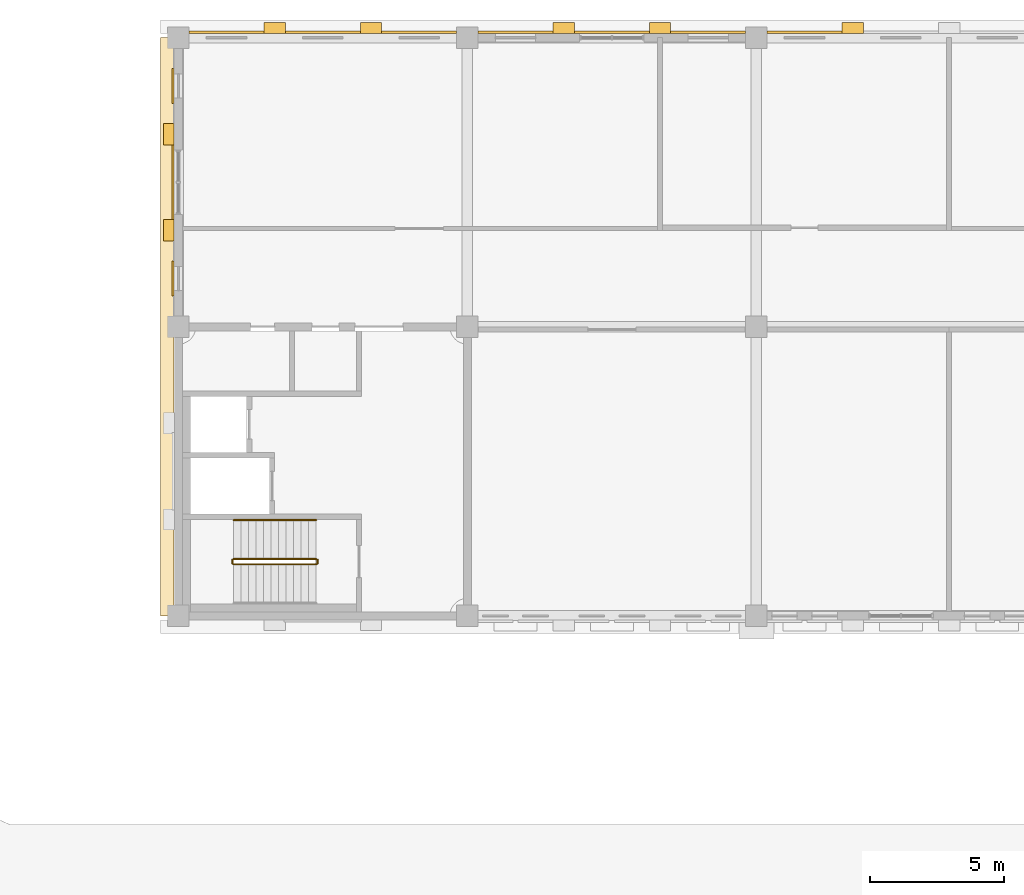
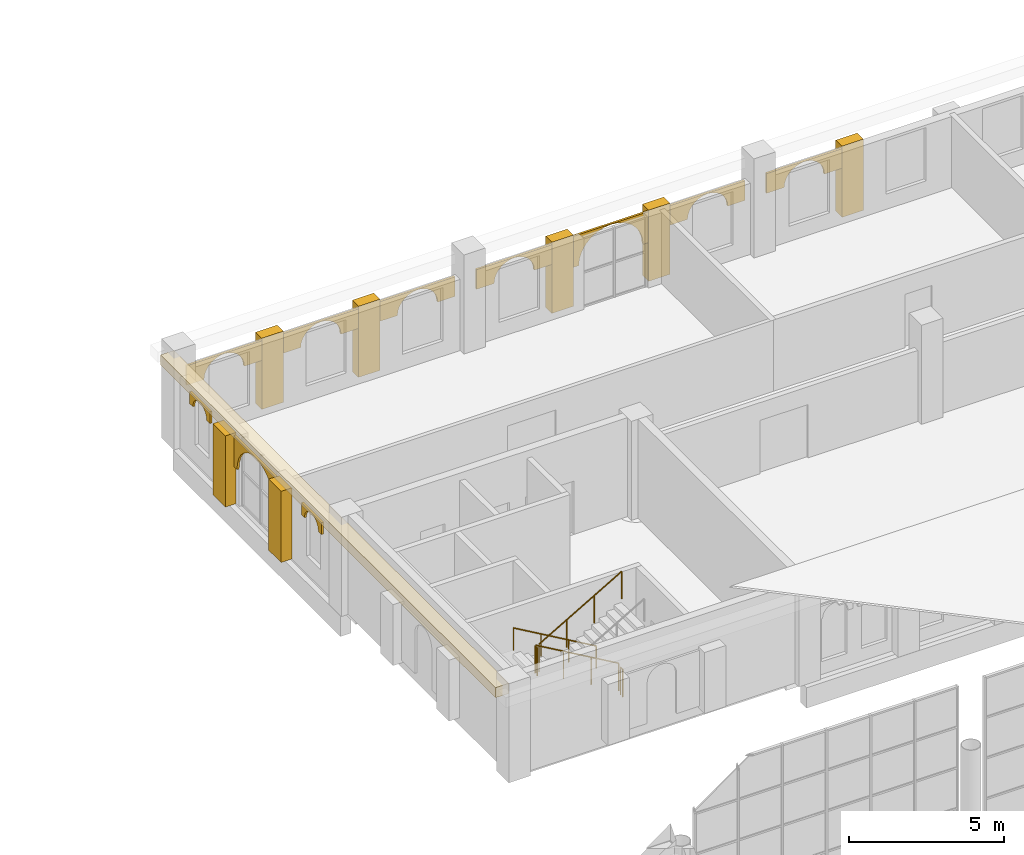
# One storey, part 53 of 56: 18 coverings, 5 railings.
"""IFC4 building model written with IfcOpenShell, lengths in metres."""

from ifc_helpers import new_model, si_unit, direction, frame, origin, origin_2d, place, context, subcontext, project, spatial, polyline, rectangle, circle, outline, extrude, material, layer, layer_set, type_object, element, save


model = new_model("IFC4")

# Units and contexts
model_context = context("Model", 3, precision=1e-05, world=origin(), true_north=direction((0.0, 1.0)))
body_context = subcontext(model_context, "Body", "Model", "MODEL_VIEW")
ifc_project = project(units=[si_unit("LENGTHUNIT", "METRE"), si_unit("AREAUNIT", "SQUARE_METRE"), si_unit("VOLUMEUNIT", "CUBIC_METRE"), si_unit("PLANEANGLEUNIT", "RADIAN"), si_unit("MASSUNIT", "GRAM", prefix="KILO")], contexts=[model_context])

# Site, building, storey
site_placement = place(None, origin())
site = spatial("IfcSite", under=ifc_project, at=site_placement, CompositionType="ELEMENT")
building_placement = place(site_placement, origin())
building = spatial("IfcBuilding", under=site, at=building_placement, Name="Magnolia Steps Interchange", CompositionType="ELEMENT")
storey_placement = place(building_placement, frame((0.0, 0.0, 8.699951171875)))
storey = spatial("IfcBuildingStorey", under=building, at=storey_placement, Name="L02", CompositionType="ELEMENT", Elevation=8.699951171875)

# Coverings
ifc_material_1 = material(Name="Lime render")
ifc_layer_1 = layer(ifc_material_1, 0.080078125)
ifc_layer_set_1 = layer_set([ifc_layer_1], Name="Lime render arch infill")
covering_type_1 = type_object("IfcCoveringType", Name="Lime render arch infill", PredefinedType="CLADDING", material=ifc_layer_set_1)
covering_1_placement = place(storey_placement, frame((79.0, 118.16259765625, 1.530029296875), z_axis=(0.0, -1.0, 0.0), x_axis=(0.111727497739, 0.0, 0.993738882327)))
element("IfcCovering", 1, at=covering_1_placement, inside=storey, type_object=covering_type_1, Name="Arched head over opening g2", PredefinedType="CLADDING", context=body_context, shape_type="SweptSolid", body=[
    extrude(outline(polyline([(0.0, 0.0), (0.268772661, 0.0), (0.530775471, -0.059969747), (0.772847059, -0.176475415), (0.982848175, -0.34424851), (1.150413918, -0.55413586), (1.266850396, -0.796550742), (1.326505678, -1.058370595), (1.326505678, -1.327143256), (1.266778543, -1.589118788), (1.150030263, -1.831217653), (0.98249978, -2.041191492), (0.772369818, -2.208784513), (0.530197548, -2.325193713), (0.268135084, -2.384876273), (0.290502405, -2.583818139), (1.502834728, -2.447513865), (1.189992279, 0.335003528), (-0.022340044, 0.198699254), (0.0, 0.0)])), origin(), (0.0, 0.0, -1.0), 0.080078125),
])
covering_2_placement = place(storey_placement, frame((65.050048828125, 118.16259765625, 1.929931640625), z_axis=(0.0, -1.0, 0.0), x_axis=(0.111866505497, 0.0, 0.993723243639)))
element("IfcCovering", 2, at=covering_2_placement, inside=storey, type_object=covering_type_1, Name="Arched head over opening W00180", PredefinedType="CLADDING", context=body_context, shape_type="SweptSolid", body=[
    extrude(outline(polyline([(0.0, 0.0), (0.168046977, 0.0), (0.331699341, -0.037347123), (0.483135814, -0.110219323), (0.61434394, -0.2150963), (0.71903364, -0.346298397), (0.791830647, -0.497551495), (0.829192312, -0.661392554), (0.829165001, -0.829196923), (0.791845189, -0.993091895), (0.718945677, -1.144285759), (0.61433862, -1.275709182), (0.482866604, -1.380183586), (0.331640817, -1.453223201), (0.167799758, -1.490584865), (0.240502062, -2.136407931), (1.005688369, -2.050268536), (0.692456691, 0.732205067), (-0.072729615, 0.646065673), (0.0, 0.0)])), origin(), (0.0, 0.0, -1.0), 0.080078125),
])
covering_3_placement = place(storey_placement, frame((68.64990234375, 118.16259765625, 1.929931640625), z_axis=(0.0, -1.0, 0.0), x_axis=(0.111866505497, 0.0, 0.993723243639)))
element("IfcCovering", 3, at=covering_3_placement, inside=storey, type_object=covering_type_1, Name="Arched head over opening W00540", PredefinedType="CLADDING", context=body_context, shape_type="SweptSolid", body=[
    extrude(outline(polyline([(0.0, 0.0), (0.168046977, 0.0), (0.331726652, -0.037589731), (0.483163125, -0.110461932), (0.61434394, -0.2150963), (0.719060952, -0.346541005), (0.791857958, -0.497794103), (0.829192312, -0.661392554), (0.829192312, -0.829439531), (0.791845189, -0.993091895), (0.718972988, -1.144528367), (0.61433862, -1.275709182), (0.482893915, -1.380426194), (0.331640817, -1.453223201), (0.167799758, -1.490584865), (0.240529374, -2.136650539), (1.00571568, -2.050511145), (0.692484002, 0.731962459), (-0.072702304, 0.645823065), (0.0, 0.0)])), origin(), (0.0, 0.0, -1.0), 0.080078125),
])
covering_4_placement = place(storey_placement, frame((72.25, 118.16259765625, 1.929931640625), z_axis=(0.0, -1.0, 0.0), x_axis=(0.111866505497, 0.0, 0.993723243639)))
element("IfcCovering", 4, at=covering_4_placement, inside=storey, type_object=covering_type_1, Name="Arched head over opening W00900", PredefinedType="CLADDING", context=body_context, shape_type="SweptSolid", body=[
    extrude(outline(polyline([(0.0, 0.0), (0.168046977, 0.0), (0.331699341, -0.037347123), (0.483135814, -0.110219323), (0.61434394, -0.2150963), (0.71903364, -0.346298397), (0.791830647, -0.497551495), (0.829192312, -0.661392554), (0.829192312, -0.829439531), (0.791845189, -0.993091895), (0.718945677, -1.144285759), (0.61433862, -1.275709182), (0.482893915, -1.380426194), (0.331640817, -1.453223201), (0.167799758, -1.490584865), (0.240502062, -2.136407931), (1.005688369, -2.050268536), (0.692484002, 0.731962459), (-0.072702304, 0.645823065), (0.0, 0.0)])), origin(), (0.0, 0.0, -1.0), 0.080078125),
])
covering_5_placement = place(storey_placement, frame((75.85009765625, 118.16259765625, 1.929931640625), z_axis=(0.0, -1.0, 0.0), x_axis=(0.111866505497, 0.0, 0.993723243639)))
element("IfcCovering", 5, at=covering_5_placement, inside=storey, type_object=covering_type_1, Name="Arched head over opening W01260", PredefinedType="CLADDING", context=body_context, shape_type="SweptSolid", body=[
    extrude(outline(polyline([(0.0, 0.0), (0.168046977, 0.0), (0.331699341, -0.037347123), (0.483135814, -0.110219323), (0.614316629, -0.214853692), (0.71903364, -0.346298397), (0.791830647, -0.497551495), (0.829192312, -0.661392554), (0.829165001, -0.829196923), (0.791817878, -0.992849287), (0.718945677, -1.144285759), (0.614311308, -1.275466574), (0.482866604, -1.380183586), (0.331640817, -1.453223201), (0.167799758, -1.490584865), (0.240502062, -2.136407931), (1.005688369, -2.050268536), (0.692456691, 0.732205067), (-0.072729615, 0.646065673), (0.0, 0.0)])), origin(), (0.0, 0.0, -1.0), 0.080078125),
])
covering_6_placement = place(storey_placement, frame((83.050048828125, 118.16259765625, 1.929931640625), z_axis=(0.0, -1.0, 0.0), x_axis=(0.111866505497, 0.0, 0.993723243639)))
element("IfcCovering", 6, at=covering_6_placement, inside=storey, type_object=covering_type_1, Name="Arched head over opening W00240", PredefinedType="CLADDING", context=body_context, shape_type="SweptSolid", body=[
    extrude(outline(polyline([(0.0, 0.0), (0.168046977, 0.0), (0.331699341, -0.037347123), (0.483135814, -0.110219323), (0.61434394, -0.2150963), (0.71903364, -0.346298397), (0.791830647, -0.497551495), (0.829192312, -0.661392554), (0.829165001, -0.829196923), (0.791845189, -0.993091895), (0.718945677, -1.144285759), (0.61433862, -1.275709182), (0.482866604, -1.380183586), (0.331640817, -1.453223201), (0.167799758, -1.490584865), (0.240502062, -2.136407931), (1.005688369, -2.050268536), (0.692456691, 0.732205067), (-0.072729615, 0.646065673), (0.0, 0.0)])), origin(), (0.0, 0.0, -1.0), 0.080078125),
])
covering_7_placement = place(storey_placement, frame((86.64990234375, 118.16259765625, 1.929931640625), z_axis=(0.0, -1.0, 0.0), x_axis=(0.111866505497, 0.0, 0.993723243639)))
element("IfcCovering", 7, at=covering_7_placement, inside=storey, type_object=covering_type_1, Name="Arched head over opening W00600", PredefinedType="CLADDING", context=body_context, shape_type="SweptSolid", body=[
    extrude(outline(polyline([(0.0, 0.0), (0.168046977, 0.0), (0.331726652, -0.037589731), (0.483163125, -0.110461932), (0.61434394, -0.2150963), (0.719060952, -0.346541005), (0.791857958, -0.497794103), (0.829192312, -0.661392554), (0.829192312, -0.829439531), (0.791845189, -0.993091895), (0.718972988, -1.144528367), (0.61433862, -1.275709182), (0.482893915, -1.380426194), (0.331640817, -1.453223201), (0.167799758, -1.490584865), (0.240529374, -2.136650539), (1.00571568, -2.050511145), (0.692484002, 0.731962459), (-0.072702304, 0.645823065), (0.0, 0.0)])), origin(), (0.0, 0.0, -1.0), 0.080078125),
])
covering_8_placement = place(storey_placement, frame((63.83740234375, 111.39990234375, 1.47998046875), z_axis=(1.0, 0.0, 0.0), x_axis=(0.0, 0.112624375469, 0.993637635182)))
element("IfcCovering", 8, at=covering_8_placement, inside=storey, type_object=covering_type_1, Name="Arched head over opening g2", PredefinedType="CLADDING", context=body_context, shape_type="SweptSolid", body=[
    extrude(outline(polyline([(0.0, 0.0), (0.268800048, 0.0), (0.530829382, -0.059490658), (0.773033522, -0.176020379), (0.983158484, -0.343361276), (1.150941095, -0.553339888), (1.267568826, -0.795406991), (1.327487892, -1.057415481), (1.327702983, -1.325945445), (1.268212325, -1.587974779), (1.151682605, -1.830178919), (0.984341707, -2.040303881), (0.774363096, -2.208086492), (0.532323489, -2.32495681), (0.270314999, -2.384875877), (0.292834375, -2.583554886), (1.505043179, -2.446156448), (1.189689429, 0.336077448), (-0.022519376, 0.19867901), (0.0, 0.0)])), origin(), (0.0, 0.0, -1.0), 0.080078125),
])
covering_9_placement = place(storey_placement, frame((63.83740234375, 108.550048828125, 2.22998046875), z_axis=(1.0, 0.0, 0.0), x_axis=(0.0, 0.111495577518, 0.993764930048)))
element("IfcCovering", 9, at=covering_9_placement, inside=storey, type_object=covering_type_1, Name="Arched head over opening W00180", PredefinedType="CLADDING", context=body_context, shape_type="SweptSolid", body=[
    extrude(outline(polyline([(0.0, 0.0), (0.100725688, 0.0), (0.199048862, -0.022380067), (0.289953831, -0.066228903), (0.368504198, -0.129152279), (0.431380233, -0.207837565), (0.474992369, -0.298756736), (0.497313261, -0.396978129), (0.497313261, -0.497703817), (0.474933193, -0.596026991), (0.431057137, -0.686689342), (0.3684036, -0.765455106), (0.289475695, -0.828358363), (0.198556524, -0.871970498), (0.100335132, -0.89429139), (0.122628803, -1.092995852), (0.589669206, -1.040596197), (0.444746732, 0.251104117), (-0.022293671, 0.198704462), (0.0, 0.0)])), origin(), (0.0, 0.0, -1.0), 0.080078125),
])
covering_10_placement = place(storey_placement, frame((63.83740234375, 115.75, 2.22998046875), z_axis=(1.0, 0.0, 0.0), x_axis=(0.0, 0.111495577518, 0.993764930048)))
element("IfcCovering", 10, at=covering_10_placement, inside=storey, type_object=covering_type_1, Name="Arched head over opening W00240", PredefinedType="CLADDING", context=body_context, shape_type="SweptSolid", body=[
    extrude(outline(polyline([(0.0, 0.0), (0.100725688, 0.0), (0.199076083, -0.022622686), (0.289953831, -0.066228903), (0.368504198, -0.129152279), (0.431407454, -0.208080184), (0.474992369, -0.298756736), (0.497313261, -0.396978129), (0.497313261, -0.497703817), (0.474933193, -0.596026991), (0.431084357, -0.68693196), (0.3684036, -0.765455106), (0.289475695, -0.828358363), (0.198556524, -0.871970498), (0.100335132, -0.89429139), (0.122656024, -1.09323847), (0.589696426, -1.040838815), (0.444746732, 0.251104117), (-0.022293671, 0.198704462), (0.0, 0.0)])), origin(), (0.0, 0.0, -1.0), 0.080078125),
])
ifc_material_2 = material(Name="Lime render")
ifc_layer_2 = layer(ifc_material_2, 0.1201171875)
ifc_layer_set_2 = layer_set([ifc_layer_2], Name="Lime render band")
covering_type_2 = type_object("IfcCoveringType", Name="Lime render band", PredefinedType="CLADDING", material=ifc_layer_set_2)
covering_11_placement = place(storey_placement, frame((63.58740234375, 107.199951171875, 3.2001953125), z_axis=(0.0, 0.0, 1.0), x_axis=(1.0, 0.0, 0.0)))
element("IfcCovering", 11, at=covering_11_placement, inside=storey, type_object=covering_type_2, Name="String course L02 W", PredefinedType="CLADDING", context=body_context, shape_type="SweptSolid", body=[
    extrude(rectangle(XDim=0.5, YDim=21.60009765625, at=origin_2d()), origin(), (0.0, 0.0, 1.0), 0.39990234375),
])
ifc_material_3 = material(Name="Lime render")
ifc_layer_3 = layer(ifc_material_3, 0.39990234375)
ifc_layer_set_3 = layer_set([ifc_layer_3], Name="Lime render pilaster")
covering_type_3 = type_object("IfcCoveringType", Name="Lime render pilaster", PredefinedType="CLADDING", material=ifc_layer_set_3)
for number, where, z_axis, x_axis, name in (
    (12, (67.60009765625, 118.362548828125, 0.0), (0.0, 0.0, 1.0), (1.0, 0.0, 0.0), "Pilaster L02 N 1"),
    (13, (71.199951171875, 118.362548828125, 0.0), (0.0, 0.0, 1.0), (1.0, 0.0, 0.0), "Pilaster L02 N 2"),
    (14, (78.39990234375, 118.362548828125, 0.0), (0.0, 0.0, 1.0), (1.0, 0.0, 0.0), "Pilaster L02 N 3"),
    (15, (82.0, 118.362548828125, 0.0), (0.0, 0.0, 1.0), (1.0, 0.0, 0.0), "Pilaster L02 N 4"),
    (16, (89.199951171875, 118.362548828125, 0.0), (0.0, 0.0, 1.0), (1.0, 0.0, 0.0), "Pilaster L02 N 5"),
):
    element("IfcCovering", number, at=place(storey_placement, frame(where, z_axis=z_axis, x_axis=x_axis)), inside=storey, type_object=covering_type_3, Name=name, PredefinedType="CLADDING", context=body_context, shape_type="SweptSolid", body=[
        extrude(rectangle(XDim=0.800048828125, YDim=0.39990234375, at=origin_2d()), origin(), (0.0, 0.0, 1.0), 2.800048828125),
    ])
for number, where, z_axis, x_axis, name in (
    (17, (63.637451171875, 110.800048828125, 0.0), (0.0, 0.0, 1.0), (1.0, 0.0, 0.0), "Pilaster L02 W 1"),
    (18, (63.637451171875, 114.39990234375, 0.0), (0.0, 0.0, 1.0), (1.0, 0.0, 0.0), "Pilaster L02 W 2"),
):
    element("IfcCovering", number, at=place(storey_placement, frame(where, z_axis=z_axis, x_axis=x_axis)), inside=storey, type_object=covering_type_3, Name=name, PredefinedType="CLADDING", context=body_context, shape_type="SweptSolid", body=[
        extrude(rectangle(XDim=0.39990234375, YDim=0.800048828125, at=origin_2d()), origin(), (0.0, 0.0, 1.0), 2.800048828125),
    ])

# Railings
ifc_material_4 = material(Name="Stainless steel grade 304", Category="steel")
railing_type_1 = type_object("IfcRailingType", Name="Stair guard 1100", PredefinedType="GUARDRAIL", material=ifc_material_4)
railing_1_placement = place(storey_placement, frame((69.14990234375, 98.52392578125, 0.16259765625)))
element("IfcRailing", 19, at=railing_1_placement, inside=storey, type_object=railing_type_1, Name="L02 ST28 stair guard 1", PredefinedType="GUARDRAIL", context=body_context, shape_type="SweptSolid", body=[
    extrude(circle(Radius=0.02392578125, at=origin_2d()), frame((0.0, 0.0, 1.076171875), z_axis=(-0.864903211148, 0.0, 0.501938676878), x_axis=(0.0, -1.0, 0.0)), (0.0, 0.0, 1.0), 3.560791015625),
    extrude(circle(Radius=0.02099609375, at=origin_2d()), origin(), (0.0, 0.0, 1.0), 1.052001953125),
    extrude(circle(Radius=0.02099609375, at=origin_2d()), frame((-1.026611328125, 0.0, 0.595703125)), (0.0, 0.0, 1.0), 1.052001953125),
    extrude(circle(Radius=0.02099609375, at=origin_2d()), frame((-2.05322265625, 0.0, 1.191650390625)), (0.0, 0.0, 1.0), 1.052001953125),
    extrude(circle(Radius=0.02099609375, at=origin_2d()), frame((-3.079833984375, 0.0, 1.787353515625)), (0.0, 0.0, 1.0), 1.052001953125),
])
railing_2_placement = place(storey_placement, frame((66.02001953125, 98.5, 1.949951171875)))
element("IfcRailing", 20, at=railing_2_placement, inside=storey, type_object=railing_type_1, Name="L02 ST28 stair guard 2", PredefinedType="GUARDRAIL", context=body_context, shape_type="SweptSolid", body=[
    extrude(circle(Radius=0.02392578125, at=origin_2d()), frame((0.0, 0.0, 1.076171875), z_axis=(0.0, -1.0, 0.0), x_axis=(1.0, 0.0, 0.0)), (0.0, 0.0, 1.0), 0.14990234375),
    extrude(circle(Radius=0.02099609375, at=origin_2d()), origin(), (0.0, 0.0, 1.0), 1.052001953125),
    extrude(circle(Radius=0.02099609375, at=origin_2d()), frame((0.0, -0.14990234375, 0.0)), (0.0, 0.0, 1.0), 1.052001953125),
])
railing_3_placement = place(storey_placement, frame((66.070068359375, 98.325927734375, 2.112548828125)))
element("IfcRailing", 21, at=railing_3_placement, inside=storey, type_object=railing_type_1, Name="L02 ST28 stair guard 3", PredefinedType="GUARDRAIL", context=body_context, shape_type="SweptSolid", body=[
    extrude(circle(Radius=0.02392578125, at=origin_2d()), frame((0.0, 0.0, 1.076171875), z_axis=(0.864873446163, 0.0, 0.501989962173), x_axis=(0.0, 1.0, 0.0)), (0.0, 0.0, 1.0), 3.56103515625),
    extrude(circle(Radius=0.02099609375, at=origin_2d()), origin(), (0.0, 0.0, 1.0), 1.052001953125),
    extrude(circle(Radius=0.02099609375, at=origin_2d()), frame((1.026611328125, 0.0, 0.595947265625)), (0.0, 0.0, 1.0), 1.052001953125),
    extrude(circle(Radius=0.02099609375, at=origin_2d()), frame((2.05322265625, 0.0, 1.191650390625)), (0.0, 0.0, 1.0), 1.052001953125),
    extrude(circle(Radius=0.02099609375, at=origin_2d()), frame((3.079833984375, 0.0, 1.78759765625)), (0.0, 0.0, 1.0), 1.052001953125),
])
railing_4_placement = place(storey_placement, frame((69.199951171875, 98.5, 0.0)))
element("IfcRailing", 22, at=railing_4_placement, inside=storey, type_object=railing_type_1, Name="L02 ST28 stair guard 4", PredefinedType="GUARDRAIL", context=body_context, shape_type="SweptSolid", body=[
    extrude(circle(Radius=0.02392578125, at=origin_2d()), frame((0.0, 0.0, 1.076171875), z_axis=(0.0, -1.0, 0.0), x_axis=(1.0, 0.0, 0.0)), (0.0, 0.0, 1.0), 0.14990234375),
    extrude(circle(Radius=0.02099609375, at=origin_2d()), origin(), (0.0, 0.0, 1.0), 1.052001953125),
    extrude(circle(Radius=0.02099609375, at=origin_2d()), frame((0.0, -0.14990234375, 0.0)), (0.0, 0.0, 1.0), 1.052001953125),
])
ifc_material_5 = material(Name="Stainless steel grade 304", Category="steel")
railing_type_2 = type_object("IfcRailingType", Name="Stair handrail 900", PredefinedType="HANDRAIL", material=ifc_material_5)
railing_5_placement = place(storey_placement, frame((69.14990234375, 99.97607421875, 0.16259765625)))
element("IfcRailing", 23, at=railing_5_placement, inside=storey, type_object=railing_type_2, Name="L02 ST28 stair handrail 1", PredefinedType="HANDRAIL", context=body_context, shape_type="SweptSolid", body=[
    extrude(circle(Radius=0.02392578125, at=origin_2d()), frame((0.0, 0.0, 0.8759765625), z_axis=(-0.864903211148, 0.0, 0.501938676878), x_axis=(0.0, -1.0, 0.0)), (0.0, 0.0, 1.0), 3.560791015625),
    extrude(circle(Radius=0.02099609375, at=origin_2d()), origin(), (0.0, 0.0, 1.0), 0.851806640625),
    extrude(circle(Radius=0.02099609375, at=origin_2d()), frame((-1.026611328125, 0.0, 0.595703125)), (0.0, 0.0, 1.0), 0.851806640625),
    extrude(circle(Radius=0.02099609375, at=origin_2d()), frame((-2.05322265625, 0.0, 1.191650390625)), (0.0, 0.0, 1.0), 0.851806640625),
    extrude(circle(Radius=0.02099609375, at=origin_2d()), frame((-3.079833984375, 0.0, 1.787353515625)), (0.0, 0.0, 1.0), 0.851806640625),
])

save(model, "model.ifc")
